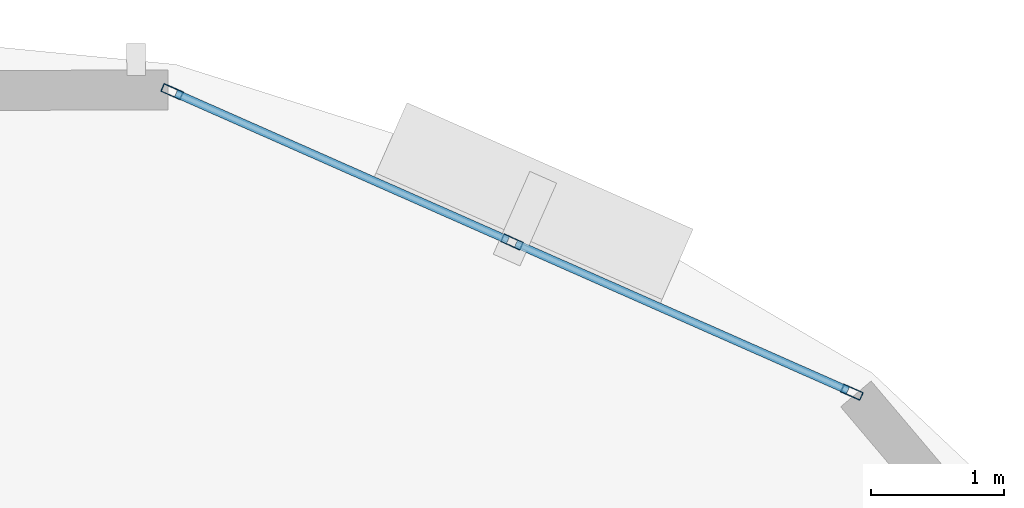
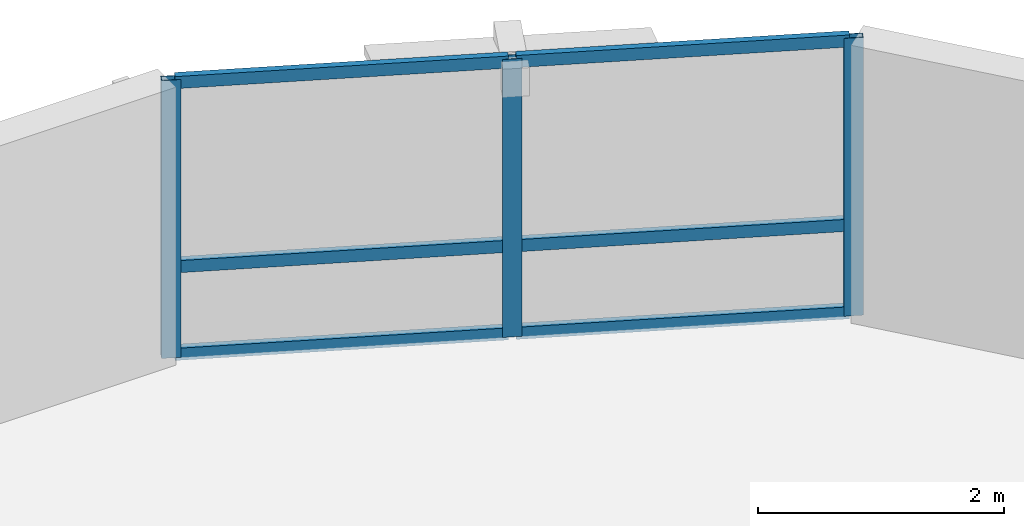
# One storey, part 5 of 11: 9 members, 1 element without a shape of its own.
"""IFC4 building model written with IfcOpenShell, lengths in metres."""

from ifc_helpers import new_model, si_unit, direction, frame, origin, origin_2d, place, context, subcontext, project, spatial, hollow_rectangle, extrude, material, layer, layer_set, material_profile, profile_set, type_object, element, aggregate, save


model = new_model("IFC4")

# Units and contexts
model_context = context("Model", 3, precision=1e-05, world=origin(), true_north=direction((0.0, 1.0)))
body_context = subcontext(model_context, "Body", "Model", "MODEL_VIEW")
ifc_project = project(units=[si_unit("LENGTHUNIT", "METRE"), si_unit("AREAUNIT", "SQUARE_METRE"), si_unit("VOLUMEUNIT", "CUBIC_METRE"), si_unit("PLANEANGLEUNIT", "RADIAN"), si_unit("MASSUNIT", "GRAM", prefix="KILO"), si_unit("THERMODYNAMICTEMPERATUREUNIT", "KELVIN"), si_unit("POWERUNIT", "WATT")], contexts=[model_context])

# Site, building, storey
site_placement = place(None, origin())
site = spatial("IfcSite", under=ifc_project, at=site_placement, CompositionType="ELEMENT")
building_placement = place(site_placement, origin())
building = spatial("IfcBuilding", under=site, at=building_placement, Name="Ocrelia Relay Tower", CompositionType="ELEMENT")
storey_placement = place(building_placement, frame((0.0, 0.0, 252.0)))
storey = spatial("IfcBuildingStorey", under=building, at=storey_placement, Name="L62", CompositionType="ELEMENT", Elevation=252.0)

# Curtain wall, members
ifc_material_1 = material(Name="Aluminium and solar-control low-E glass", Category="aluminium")
ifc_layer = layer(ifc_material_1, 0.179931640625, Name="Aluminium and solar-control low-E glass")
ifc_layer_set = layer_set([ifc_layer], Name="Aluminium and solar-control low-E glass")
curtain_wall_type = type_object("IfcCurtainWallType", Name="CW-SYS-Z4-EXEC", PredefinedType="NOTDEFINED", material=ifc_layer_set)
curtain_wall_placement = place(storey_placement, origin())
curtain_wall = element("IfcCurtainWall", 1, at=curtain_wall_placement, inside=storey, type_object=curtain_wall_type, Name="L62 Elliptical Tower Curtain Wall Bay 01", PredefinedType="NOTDEFINED")
ifc_material_2 = material(Name="Anodised bronze aluminium", Category="aluminium")
ifc_material_profile_1 = material_profile(ifc_material_2, hollow_rectangle(XDim=0.06494140625, YDim=0.159912109375, WallThickness=0.0048828125, at=origin_2d()), Name="CW-MUL-160x65")
ifc_profile_set_1 = profile_set([ifc_material_profile_1], Name="Anodised bronze aluminium")
member_type_1 = type_object("IfcMemberType", Name="CW-SYS-Z4-EXEC-MUL", PredefinedType="MULLION", material=ifc_profile_set_1)
member_1_placement = place(storey_placement, frame((46.5498046875, 42.82861328125, 0.0), z_axis=(0.0, 0.0, 1.0), x_axis=(-0.404298486673, -0.914627100885, 0.0)))
member_1 = element("IfcMember", 2, at=member_1_placement, type_object=member_type_1, Name="CW-Z4 mullion 1", PredefinedType="MULLION", context=body_context, shape_type="SweptSolid", body=[
    extrude(hollow_rectangle(XDim=0.06494140625, YDim=0.159912109375, WallThickness=0.0048828125, at=origin_2d()), origin(), (0.0, 0.0, 1.0), 2.760009765625),
])
member_2_placement = place(storey_placement, frame((43.99560546875, 43.95751953125, 0.0), z_axis=(0.0, 0.0, 1.0), x_axis=(-0.404298486673, -0.914627100885, 0.0)))
member_2 = element("IfcMember", 3, at=member_2_placement, type_object=member_type_1, Name="CW-Z4 mullion 2", PredefinedType="MULLION", context=body_context, shape_type="SweptSolid", body=[
    extrude(hollow_rectangle(XDim=0.06494140625, YDim=0.159912109375, WallThickness=0.0048828125, at=origin_2d()), origin(), (0.0, 0.0, 1.0), 2.760009765625),
])
member_3_placement = place(storey_placement, frame((41.44140625, 45.086669921875, 0.0), z_axis=(0.0, 0.0, 1.0), x_axis=(-0.404298486673, -0.914627100885, 0.0)))
member_3 = element("IfcMember", 4, at=member_3_placement, type_object=member_type_1, Name="CW-Z4 mullion 3", PredefinedType="MULLION", context=body_context, shape_type="SweptSolid", body=[
    extrude(hollow_rectangle(XDim=0.06494140625, YDim=0.159912109375, WallThickness=0.0048828125, at=origin_2d()), origin(), (0.0, 0.0, 1.0), 2.760009765625),
])
ifc_material_profile_2 = material_profile(ifc_material_2, hollow_rectangle(XDim=0.06005859375, YDim=0.1201171875, WallThickness=0.0048828125, at=origin_2d()), Name="CW-TRN-120x60")
ifc_profile_set_2 = profile_set([ifc_material_profile_2], Name="Anodised bronze aluminium")
member_type_2 = type_object("IfcMemberType", Name="CW-SYS-Z4-EXEC-TRN", PredefinedType="USERDEFINED", material=ifc_profile_set_2)
member_4_placement = place(storey_placement, frame((46.52001953125, 42.841796875, 0.030029296875), z_axis=(-0.914618101267, 0.40431884551, 0.0), x_axis=(-0.40431884551, -0.914618101267, 0.0)))
member_4 = element("IfcMember", 5, at=member_4_placement, type_object=member_type_2, Name="CW-Z4 transom 1.1", ObjectType="TRANSOM", PredefinedType="USERDEFINED", context=body_context, shape_type="SweptSolid", body=[
    extrude(hollow_rectangle(XDim=0.06005859375, YDim=0.1201171875, WallThickness=0.0048828125, at=origin_2d()), origin(), (0.0, 0.0, 1.0), 2.7275390625),
])
member_5_placement = place(storey_placement, frame((46.52001953125, 42.841796875, 0.89990234375), z_axis=(-0.914618101267, 0.40431884551, 0.0), x_axis=(-0.40431884551, -0.914618101267, 0.0)))
member_5 = element("IfcMember", 6, at=member_5_placement, type_object=member_type_2, Name="CW-Z4 transom 1.2", ObjectType="TRANSOM", PredefinedType="USERDEFINED", context=body_context, shape_type="SweptSolid", body=[
    extrude(hollow_rectangle(XDim=0.06005859375, YDim=0.1201171875, WallThickness=0.0048828125, at=origin_2d()), origin(), (0.0, 0.0, 1.0), 2.7275390625),
])
member_6_placement = place(storey_placement, frame((46.52001953125, 42.841796875, 2.72998046875), z_axis=(-0.914618101267, 0.40431884551, 0.0), x_axis=(-0.40431884551, -0.914618101267, 0.0)))
member_6 = element("IfcMember", 7, at=member_6_placement, type_object=member_type_2, Name="CW-Z4 transom 1.3", ObjectType="TRANSOM", PredefinedType="USERDEFINED", context=body_context, shape_type="SweptSolid", body=[
    extrude(hollow_rectangle(XDim=0.06005859375, YDim=0.1201171875, WallThickness=0.0048828125, at=origin_2d()), origin(), (0.0, 0.0, 1.0), 2.7275390625),
])
member_7_placement = place(storey_placement, frame((43.9658203125, 43.970703125, 0.030029296875), z_axis=(-0.914632732083, 0.404285747218, 0.0), x_axis=(-0.404285747218, -0.914632732083, 0.0)))
member_7 = element("IfcMember", 8, at=member_7_placement, type_object=member_type_2, Name="CW-Z4 transom 2.1", ObjectType="TRANSOM", PredefinedType="USERDEFINED", context=body_context, shape_type="SweptSolid", body=[
    extrude(hollow_rectangle(XDim=0.06005859375, YDim=0.1201171875, WallThickness=0.0048828125, at=origin_2d()), origin(), (0.0, 0.0, 1.0), 2.727783203125),
])
member_8_placement = place(storey_placement, frame((43.9658203125, 43.970703125, 0.89990234375), z_axis=(-0.914632732083, 0.404285747218, 0.0), x_axis=(-0.404285747218, -0.914632732083, 0.0)))
member_8 = element("IfcMember", 9, at=member_8_placement, type_object=member_type_2, Name="CW-Z4 transom 2.2", ObjectType="TRANSOM", PredefinedType="USERDEFINED", context=body_context, shape_type="SweptSolid", body=[
    extrude(hollow_rectangle(XDim=0.06005859375, YDim=0.1201171875, WallThickness=0.0048828125, at=origin_2d()), origin(), (0.0, 0.0, 1.0), 2.727783203125),
])
member_9_placement = place(storey_placement, frame((43.9658203125, 43.970703125, 2.72998046875), z_axis=(-0.914632732083, 0.404285747218, 0.0), x_axis=(-0.404285747218, -0.914632732083, 0.0)))
member_9 = element("IfcMember", 10, at=member_9_placement, type_object=member_type_2, Name="CW-Z4 transom 2.3", ObjectType="TRANSOM", PredefinedType="USERDEFINED", context=body_context, shape_type="SweptSolid", body=[
    extrude(hollow_rectangle(XDim=0.06005859375, YDim=0.1201171875, WallThickness=0.0048828125, at=origin_2d()), origin(), (0.0, 0.0, 1.0), 2.727783203125),
])
aggregate(curtain_wall, [member_1, member_2, member_3, member_4, member_5, member_6, member_7, member_8, member_9])

save(model, "model.ifc")
